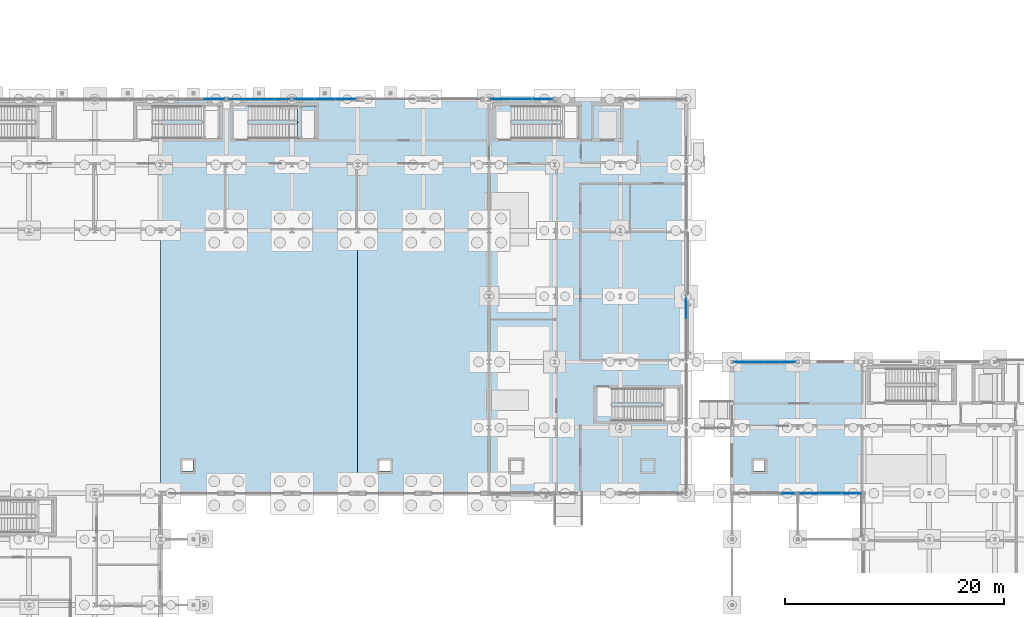
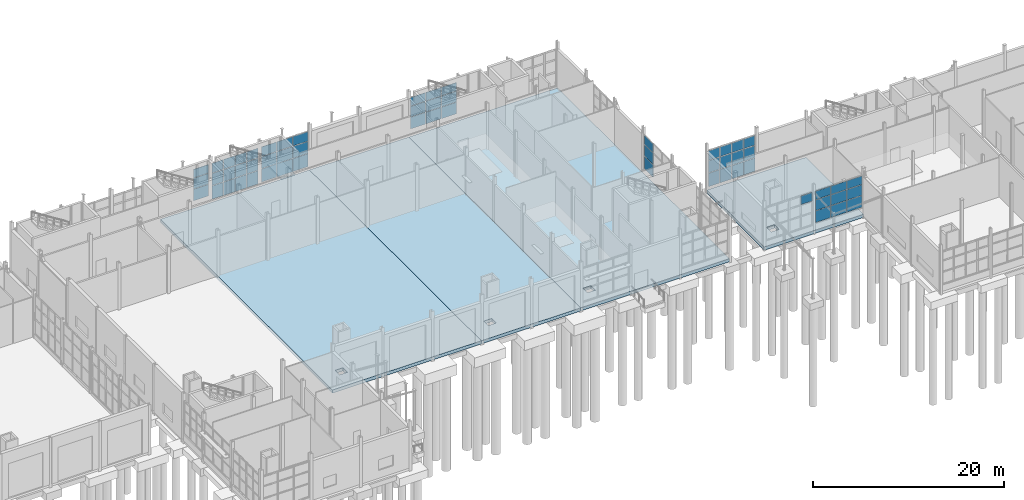
# One storey, part 70 of 120: 58 plates, 5 slabs, 9 elements without a shape of their own.
"""IFC4 building model written with IfcOpenShell, lengths in metres."""

from ifc_helpers import new_model, si_unit, direction, frame, origin, origin_2d, place, context, subcontext, project, spatial, polyline, rectangle, outline, extrude, material, layer, layer_set, type_object, element, aggregate, save


model = new_model("IFC4")

# Units and contexts
model_context = context("Model", 3, precision=1e-05, world=origin(), true_north=direction((0.0, 1.0)))
body_context = subcontext(model_context, "Body", "Model", "MODEL_VIEW")
ifc_project = project(units=[si_unit("LENGTHUNIT", "METRE"), si_unit("AREAUNIT", "SQUARE_METRE"), si_unit("VOLUMEUNIT", "CUBIC_METRE"), si_unit("PLANEANGLEUNIT", "RADIAN"), si_unit("MASSUNIT", "GRAM", prefix="KILO")], contexts=[model_context])

# Site, building, storey
site_placement = place(None, origin())
site = spatial("IfcSite", under=ifc_project, at=site_placement, CompositionType="ELEMENT")
building_placement = place(site_placement, origin())
building = spatial("IfcBuilding", under=site, at=building_placement, Name="Siltcreek Boulevard Central Fire Station", CompositionType="ELEMENT")
storey_placement = place(building_placement, origin())
storey = spatial("IfcBuildingStorey", under=building, at=storey_placement, Name="L01", CompositionType="ELEMENT", Elevation=0.0)

# Curtain wall, plates
ifc_material_1 = material(Name="Anodized aluminum and low-E insulated glazing", Category="aluminium")
curtain_wall_type_1 = type_object("IfcCurtainWallType", Name="CW_SYS_07", PredefinedType="USERDEFINED", material=ifc_material_1)
curtain_wall_1_placement = place(storey_placement, origin())
curtain_wall_1 = element("IfcCurtainWall", 1, at=curtain_wall_1_placement, inside=storey, type_object=curtain_wall_type_1, Name="L01 V1 unitised curtain wall CW-006", ObjectType="CURTAIN WALL", PredefinedType="USERDEFINED")
ifc_material_2 = material(Name="Low-E double insulated glass unit", Category="glass")
ifc_layer_1 = layer(ifc_material_2, 0.028076171875, Name="Low-E double insulated glass unit")
ifc_layer_set_1 = layer_set([ifc_layer_1], Name="Low-E double insulated glass unit")
plate_type_1 = type_object("IfcPlateType", Name="CWP_GLZ_1", PredefinedType="CURTAIN_PANEL", material=ifc_layer_set_1)
plate_1_placement = place(storey_placement, frame((71.125, 54.0, 0.38525390625), z_axis=(0.0, 0.0, 1.0), x_axis=(-1.0, 0.0, 0.0)))
plate_1 = element("IfcPlate", 2, at=plate_1_placement, type_object=plate_type_1, Name="CW-006 panel 1.1", PredefinedType="CURTAIN_PANEL", context=body_context, shape_type="SweptSolid", body=[
    extrude(rectangle(XDim=1.330078125, YDim=0.028076171875, at=origin_2d()), origin(), (0.0, 0.0, 1.0), 1.694091796875),
])
plate_2_placement = place(storey_placement, frame((71.125, 54.0, 2.144287109375), z_axis=(0.0, 0.0, 1.0), x_axis=(-1.0, 0.0, 0.0)))
plate_2 = element("IfcPlate", 3, at=plate_2_placement, type_object=plate_type_1, Name="CW-006 panel 1.2", PredefinedType="CURTAIN_PANEL", context=body_context, shape_type="SweptSolid", body=[
    extrude(rectangle(XDim=1.330078125, YDim=0.028076171875, at=origin_2d()), origin(), (0.0, 0.0, 1.0), 1.5380859375),
])
plate_3_placement = place(storey_placement, frame((71.125, 54.0, 3.747314453125), z_axis=(0.0, 0.0, 1.0), x_axis=(-1.0, 0.0, 0.0)))
plate_3 = element("IfcPlate", 4, at=plate_3_placement, type_object=plate_type_1, Name="CW-006 panel 1.3", PredefinedType="CURTAIN_PANEL", context=body_context, shape_type="SweptSolid", body=[
    extrude(rectangle(XDim=1.330078125, YDim=0.028076171875, at=origin_2d()), origin(), (0.0, 0.0, 1.0), 1.22265625),
])
plate_4_placement = place(storey_placement, frame((69.7138671875, 54.0, 0.38525390625), z_axis=(0.0, 0.0, 1.0), x_axis=(-1.0, 0.0, 0.0)))
plate_4 = element("IfcPlate", 5, at=plate_4_placement, type_object=plate_type_1, Name="CW-006 panel 2.1", PredefinedType="CURTAIN_PANEL", context=body_context, shape_type="SweptSolid", body=[
    extrude(rectangle(XDim=1.362548828125, YDim=0.028076171875, at=origin_2d()), origin(), (0.0, 0.0, 1.0), 1.694091796875),
])
plate_5_placement = place(storey_placement, frame((69.7138671875, 54.0, 2.144287109375), z_axis=(0.0, 0.0, 1.0), x_axis=(-1.0, 0.0, 0.0)))
plate_5 = element("IfcPlate", 6, at=plate_5_placement, type_object=plate_type_1, Name="CW-006 panel 2.2", PredefinedType="CURTAIN_PANEL", context=body_context, shape_type="SweptSolid", body=[
    extrude(rectangle(XDim=1.362548828125, YDim=0.028076171875, at=origin_2d()), origin(), (0.0, 0.0, 1.0), 1.5380859375),
])
plate_6_placement = place(storey_placement, frame((69.7138671875, 54.0, 3.747314453125), z_axis=(0.0, 0.0, 1.0), x_axis=(-1.0, 0.0, 0.0)))
plate_6 = element("IfcPlate", 7, at=plate_6_placement, type_object=plate_type_1, Name="CW-006 panel 2.3", PredefinedType="CURTAIN_PANEL", context=body_context, shape_type="SweptSolid", body=[
    extrude(rectangle(XDim=1.362548828125, YDim=0.028076171875, at=origin_2d()), origin(), (0.0, 0.0, 1.0), 1.22265625),
])
plate_7_placement = place(storey_placement, frame((68.2861328125, 54.0, 0.38525390625), z_axis=(0.0, 0.0, 1.0), x_axis=(-1.0, 0.0, 0.0)))
plate_7 = element("IfcPlate", 8, at=plate_7_placement, type_object=plate_type_1, Name="CW-006 panel 3.1", PredefinedType="CURTAIN_PANEL", context=body_context, shape_type="SweptSolid", body=[
    extrude(rectangle(XDim=1.362548828125, YDim=0.028076171875, at=origin_2d()), origin(), (0.0, 0.0, 1.0), 1.694091796875),
])
plate_8_placement = place(storey_placement, frame((68.2861328125, 54.0, 2.144287109375), z_axis=(0.0, 0.0, 1.0), x_axis=(-1.0, 0.0, 0.0)))
plate_8 = element("IfcPlate", 9, at=plate_8_placement, type_object=plate_type_1, Name="CW-006 panel 3.2", PredefinedType="CURTAIN_PANEL", context=body_context, shape_type="SweptSolid", body=[
    extrude(rectangle(XDim=1.362548828125, YDim=0.028076171875, at=origin_2d()), origin(), (0.0, 0.0, 1.0), 1.5380859375),
])
plate_9_placement = place(storey_placement, frame((68.2861328125, 54.0, 3.747314453125), z_axis=(0.0, 0.0, 1.0), x_axis=(-1.0, 0.0, 0.0)))
plate_9 = element("IfcPlate", 10, at=plate_9_placement, type_object=plate_type_1, Name="CW-006 panel 3.3", PredefinedType="CURTAIN_PANEL", context=body_context, shape_type="SweptSolid", body=[
    extrude(rectangle(XDim=1.362548828125, YDim=0.028076171875, at=origin_2d()), origin(), (0.0, 0.0, 1.0), 1.22265625),
])
plate_10_placement = place(storey_placement, frame((66.875, 54.0, 0.38525390625), z_axis=(0.0, 0.0, 1.0), x_axis=(-1.0, 0.0, 0.0)))
plate_10 = element("IfcPlate", 11, at=plate_10_placement, type_object=plate_type_1, Name="CW-006 panel 4.1", PredefinedType="CURTAIN_PANEL", context=body_context, shape_type="SweptSolid", body=[
    extrude(rectangle(XDim=1.330078125, YDim=0.028076171875, at=origin_2d()), origin(), (0.0, 0.0, 1.0), 1.694091796875),
])
plate_11_placement = place(storey_placement, frame((66.875, 54.0, 2.144287109375), z_axis=(0.0, 0.0, 1.0), x_axis=(-1.0, 0.0, 0.0)))
plate_11 = element("IfcPlate", 12, at=plate_11_placement, type_object=plate_type_1, Name="CW-006 panel 4.2", PredefinedType="CURTAIN_PANEL", context=body_context, shape_type="SweptSolid", body=[
    extrude(rectangle(XDim=1.330078125, YDim=0.028076171875, at=origin_2d()), origin(), (0.0, 0.0, 1.0), 1.5380859375),
])
plate_12_placement = place(storey_placement, frame((66.875, 54.0, 3.747314453125), z_axis=(0.0, 0.0, 1.0), x_axis=(-1.0, 0.0, 0.0)))
plate_12 = element("IfcPlate", 13, at=plate_12_placement, type_object=plate_type_1, Name="CW-006 panel 4.3", PredefinedType="CURTAIN_PANEL", context=body_context, shape_type="SweptSolid", body=[
    extrude(rectangle(XDim=1.330078125, YDim=0.028076171875, at=origin_2d()), origin(), (0.0, 0.0, 1.0), 1.22265625),
])
aggregate(curtain_wall_1, [plate_1, plate_2, plate_3, plate_4, plate_5, plate_6, plate_7, plate_8, plate_9, plate_10, plate_11, plate_12])

curtain_wall_type_2 = type_object("IfcCurtainWallType", Name="CW_SYS_22", PredefinedType="USERDEFINED", material=ifc_material_1)
curtain_wall_2_placement = place(storey_placement, origin())
curtain_wall_2 = element("IfcCurtainWall", 14, at=curtain_wall_2_placement, inside=storey, type_object=curtain_wall_type_2, Name="L01 V2 unitised curtain wall CW-021", ObjectType="CURTAIN WALL", PredefinedType="USERDEFINED")
plate_13_placement = place(storey_placement, frame((108.0, 34.888427734375, 0.739990234375), z_axis=(0.0, 0.0, 1.0), x_axis=(0.0, 1.0, 0.0)))
plate_13 = element("IfcPlate", 15, at=plate_13_placement, type_object=plate_type_1, Name="CW-021 panel 3.1", PredefinedType="CURTAIN_PANEL", context=body_context, shape_type="SweptSolid", body=[
    extrude(rectangle(XDim=1.813232421875, YDim=0.028076171875, at=origin_2d()), origin(), (0.0, 0.0, 1.0), 1.568359375),
])
plate_14_placement = place(storey_placement, frame((108.0, 34.888427734375, 2.3681640625), z_axis=(0.0, 0.0, 1.0), x_axis=(0.0, 1.0, 0.0)))
plate_14 = element("IfcPlate", 16, at=plate_14_placement, type_object=plate_type_1, Name="CW-021 panel 3.2", PredefinedType="CURTAIN_PANEL", context=body_context, shape_type="SweptSolid", body=[
    extrude(rectangle(XDim=1.813232421875, YDim=0.028076171875, at=origin_2d()), origin(), (0.0, 0.0, 1.0), 1.423828125),
])
plate_15_placement = place(storey_placement, frame((108.0, 34.888427734375, 3.85205078125), z_axis=(0.0, 0.0, 1.0), x_axis=(0.0, 1.0, 0.0)))
plate_15 = element("IfcPlate", 17, at=plate_15_placement, type_object=plate_type_1, Name="CW-021 panel 3.3", PredefinedType="CURTAIN_PANEL", context=body_context, shape_type="SweptSolid", body=[
    extrude(rectangle(XDim=1.813232421875, YDim=0.028076171875, at=origin_2d()), origin(), (0.0, 0.0, 1.0), 1.1318359375),
])
aggregate(curtain_wall_2, [plate_13, plate_14, plate_15])

curtain_wall_type_3 = type_object("IfcCurtainWallType", Name="CW_SYS_13", PredefinedType="USERDEFINED", material=ifc_material_1)
curtain_wall_3_placement = place(storey_placement, origin())
curtain_wall_3 = element("IfcCurtainWall", 18, at=curtain_wall_3_placement, inside=storey, type_object=curtain_wall_type_3, Name="L01 V6 unitised curtain wall CW-192", ObjectType="CURTAIN WALL", PredefinedType="USERDEFINED")
plate_16_placement = place(storey_placement, frame((117.324951171875, 30.0, 0.38525390625), z_axis=(0.0, 0.0, 1.0), x_axis=(-1.0, 0.0, 0.0)))
plate_16 = element("IfcPlate", 19, at=plate_16_placement, type_object=plate_type_1, Name="CW-192 panel 1.1", PredefinedType="CURTAIN_PANEL", context=body_context, shape_type="SweptSolid", body=[
    extrude(rectangle(XDim=1.330078125, YDim=0.028076171875, at=origin_2d()), origin(), (0.0, 0.0, 1.0), 1.694091796875),
])
plate_17_placement = place(storey_placement, frame((117.324951171875, 30.0, 2.144287109375), z_axis=(0.0, 0.0, 1.0), x_axis=(-1.0, 0.0, 0.0)))
plate_17 = element("IfcPlate", 20, at=plate_17_placement, type_object=plate_type_1, Name="CW-192 panel 1.2", PredefinedType="CURTAIN_PANEL", context=body_context, shape_type="SweptSolid", body=[
    extrude(rectangle(XDim=1.330078125, YDim=0.028076171875, at=origin_2d()), origin(), (0.0, 0.0, 1.0), 1.5380859375),
])
plate_18_placement = place(storey_placement, frame((117.324951171875, 30.0, 3.747314453125), z_axis=(0.0, 0.0, 1.0), x_axis=(-1.0, 0.0, 0.0)))
plate_18 = element("IfcPlate", 21, at=plate_18_placement, type_object=plate_type_1, Name="CW-192 panel 1.3", PredefinedType="CURTAIN_PANEL", context=body_context, shape_type="SweptSolid", body=[
    extrude(rectangle(XDim=1.330078125, YDim=0.028076171875, at=origin_2d()), origin(), (0.0, 0.0, 1.0), 1.22265625),
])
plate_19_placement = place(storey_placement, frame((115.913818359375, 30.0, 0.38525390625), z_axis=(0.0, 0.0, 1.0), x_axis=(-1.0, 0.0, 0.0)))
plate_19 = element("IfcPlate", 22, at=plate_19_placement, type_object=plate_type_1, Name="CW-192 panel 2.1", PredefinedType="CURTAIN_PANEL", context=body_context, shape_type="SweptSolid", body=[
    extrude(rectangle(XDim=1.362548828125, YDim=0.028076171875, at=origin_2d()), origin(), (0.0, 0.0, 1.0), 1.694091796875),
])
plate_20_placement = place(storey_placement, frame((115.913818359375, 30.0, 2.144287109375), z_axis=(0.0, 0.0, 1.0), x_axis=(-1.0, 0.0, 0.0)))
plate_20 = element("IfcPlate", 23, at=plate_20_placement, type_object=plate_type_1, Name="CW-192 panel 2.2", PredefinedType="CURTAIN_PANEL", context=body_context, shape_type="SweptSolid", body=[
    extrude(rectangle(XDim=1.362548828125, YDim=0.028076171875, at=origin_2d()), origin(), (0.0, 0.0, 1.0), 1.5380859375),
])
plate_21_placement = place(storey_placement, frame((115.913818359375, 30.0, 3.747314453125), z_axis=(0.0, 0.0, 1.0), x_axis=(-1.0, 0.0, 0.0)))
plate_21 = element("IfcPlate", 24, at=plate_21_placement, type_object=plate_type_1, Name="CW-192 panel 2.3", PredefinedType="CURTAIN_PANEL", context=body_context, shape_type="SweptSolid", body=[
    extrude(rectangle(XDim=1.362548828125, YDim=0.028076171875, at=origin_2d()), origin(), (0.0, 0.0, 1.0), 1.22265625),
])
plate_22_placement = place(storey_placement, frame((114.486328125, 30.0, 0.38525390625), z_axis=(0.0, 0.0, 1.0), x_axis=(-1.0, 0.0, 0.0)))
plate_22 = element("IfcPlate", 25, at=plate_22_placement, type_object=plate_type_1, Name="CW-192 panel 3.1", PredefinedType="CURTAIN_PANEL", context=body_context, shape_type="SweptSolid", body=[
    extrude(rectangle(XDim=1.362548828125, YDim=0.028076171875, at=origin_2d()), origin(), (0.0, 0.0, 1.0), 1.694091796875),
])
plate_23_placement = place(storey_placement, frame((114.486328125, 30.0, 2.144287109375), z_axis=(0.0, 0.0, 1.0), x_axis=(-1.0, 0.0, 0.0)))
plate_23 = element("IfcPlate", 26, at=plate_23_placement, type_object=plate_type_1, Name="CW-192 panel 3.2", PredefinedType="CURTAIN_PANEL", context=body_context, shape_type="SweptSolid", body=[
    extrude(rectangle(XDim=1.362548828125, YDim=0.028076171875, at=origin_2d()), origin(), (0.0, 0.0, 1.0), 1.5380859375),
])
plate_24_placement = place(storey_placement, frame((114.486328125, 30.0, 3.747314453125), z_axis=(0.0, 0.0, 1.0), x_axis=(-1.0, 0.0, 0.0)))
plate_24 = element("IfcPlate", 27, at=plate_24_placement, type_object=plate_type_1, Name="CW-192 panel 3.3", PredefinedType="CURTAIN_PANEL", context=body_context, shape_type="SweptSolid", body=[
    extrude(rectangle(XDim=1.362548828125, YDim=0.028076171875, at=origin_2d()), origin(), (0.0, 0.0, 1.0), 1.22265625),
])
plate_25_placement = place(storey_placement, frame((113.074951171875, 30.0, 0.38525390625), z_axis=(0.0, 0.0, 1.0), x_axis=(-1.0, 0.0, 0.0)))
plate_25 = element("IfcPlate", 28, at=plate_25_placement, type_object=plate_type_1, Name="CW-192 panel 4.1", PredefinedType="CURTAIN_PANEL", context=body_context, shape_type="SweptSolid", body=[
    extrude(rectangle(XDim=1.330078125, YDim=0.028076171875, at=origin_2d()), origin(), (0.0, 0.0, 1.0), 1.694091796875),
])
plate_26_placement = place(storey_placement, frame((113.074951171875, 30.0, 2.144287109375), z_axis=(0.0, 0.0, 1.0), x_axis=(-1.0, 0.0, 0.0)))
plate_26 = element("IfcPlate", 29, at=plate_26_placement, type_object=plate_type_1, Name="CW-192 panel 4.2", PredefinedType="CURTAIN_PANEL", context=body_context, shape_type="SweptSolid", body=[
    extrude(rectangle(XDim=1.330078125, YDim=0.028076171875, at=origin_2d()), origin(), (0.0, 0.0, 1.0), 1.5380859375),
])
plate_27_placement = place(storey_placement, frame((113.074951171875, 30.0, 3.747314453125), z_axis=(0.0, 0.0, 1.0), x_axis=(-1.0, 0.0, 0.0)))
plate_27 = element("IfcPlate", 30, at=plate_27_placement, type_object=plate_type_1, Name="CW-192 panel 4.3", PredefinedType="CURTAIN_PANEL", context=body_context, shape_type="SweptSolid", body=[
    extrude(rectangle(XDim=1.330078125, YDim=0.028076171875, at=origin_2d()), origin(), (0.0, 0.0, 1.0), 1.22265625),
])
aggregate(curtain_wall_3, [plate_16, plate_17, plate_18, plate_19, plate_20, plate_21, plate_22, plate_23, plate_24, plate_25, plate_26, plate_27])

curtain_wall_type_4 = type_object("IfcCurtainWallType", Name="CW_SYS_08", PredefinedType="USERDEFINED", material=ifc_material_1)
curtain_wall_4_placement = place(storey_placement, origin())
curtain_wall_4 = element("IfcCurtainWall", 31, at=curtain_wall_4_placement, inside=storey, type_object=curtain_wall_type_4, Name="L01 V1 unitised curtain wall CW-007", ObjectType="CURTAIN WALL", PredefinedType="USERDEFINED")
ifc_layer_2 = layer(ifc_material_2, 0.0380859375, Name="Low-E double insulated glass unit")
ifc_layer_set_2 = layer_set([ifc_layer_2], Name="Low-E double insulated glass unit")
plate_type_2 = type_object("IfcPlateType", Name="CWP_GLZ_2", PredefinedType="CURTAIN_PANEL", material=ifc_layer_set_2)
plate_28_placement = place(storey_placement, frame((76.888427734375, 54.0, 0.5), z_axis=(0.0, 0.0, 1.0), x_axis=(-1.0, 0.0, 0.0)))
plate_28 = element("IfcPlate", 32, at=plate_28_placement, type_object=plate_type_2, Name="CW-007 panel 1.1", PredefinedType="CURTAIN_PANEL", context=body_context, shape_type="SweptSolid", body=[
    extrude(rectangle(XDim=1.813232421875, YDim=0.0380859375, at=origin_2d()), origin(), (0.0, 0.0, 1.0), 1.656005859375),
])
plate_29_placement = place(storey_placement, frame((76.888427734375, 54.0, 2.21630859375), z_axis=(0.0, 0.0, 1.0), x_axis=(-1.0, 0.0, 0.0)))
plate_29 = element("IfcPlate", 33, at=plate_29_placement, type_object=plate_type_2, Name="CW-007 panel 1.2", PredefinedType="CURTAIN_PANEL", context=body_context, shape_type="SweptSolid", body=[
    extrude(rectangle(XDim=1.813232421875, YDim=0.0380859375, at=origin_2d()), origin(), (0.0, 0.0, 1.0), 1.502197265625),
])
plate_30_placement = place(storey_placement, frame((76.888427734375, 54.0, 3.7783203125), z_axis=(0.0, 0.0, 1.0), x_axis=(-1.0, 0.0, 0.0)))
plate_30 = element("IfcPlate", 34, at=plate_30_placement, type_object=plate_type_2, Name="CW-007 panel 1.3", PredefinedType="CURTAIN_PANEL", context=body_context, shape_type="SweptSolid", body=[
    extrude(rectangle(XDim=1.813232421875, YDim=0.0380859375, at=origin_2d()), origin(), (0.0, 0.0, 1.0), 1.196533203125),
])
plate_31_placement = place(storey_placement, frame((75.0, 54.0, 0.5), z_axis=(0.0, 0.0, 1.0), x_axis=(-1.0, 0.0, 0.0)))
plate_31 = element("IfcPlate", 35, at=plate_31_placement, type_object=plate_type_2, Name="CW-007 panel 2.1", PredefinedType="CURTAIN_PANEL", context=body_context, shape_type="SweptSolid", body=[
    extrude(rectangle(XDim=1.84326171875, YDim=0.0380859375, at=origin_2d()), origin(), (0.0, 0.0, 1.0), 1.656005859375),
])
plate_32_placement = place(storey_placement, frame((75.0, 54.0, 2.21630859375), z_axis=(0.0, 0.0, 1.0), x_axis=(-1.0, 0.0, 0.0)))
plate_32 = element("IfcPlate", 36, at=plate_32_placement, type_object=plate_type_2, Name="CW-007 panel 2.2", PredefinedType="CURTAIN_PANEL", context=body_context, shape_type="SweptSolid", body=[
    extrude(rectangle(XDim=1.84326171875, YDim=0.0380859375, at=origin_2d()), origin(), (0.0, 0.0, 1.0), 1.502197265625),
])
plate_33_placement = place(storey_placement, frame((75.0, 54.0, 3.7783203125), z_axis=(0.0, 0.0, 1.0), x_axis=(-1.0, 0.0, 0.0)))
plate_33 = element("IfcPlate", 37, at=plate_33_placement, type_object=plate_type_2, Name="CW-007 panel 2.3", PredefinedType="CURTAIN_PANEL", context=body_context, shape_type="SweptSolid", body=[
    extrude(rectangle(XDim=1.84326171875, YDim=0.0380859375, at=origin_2d()), origin(), (0.0, 0.0, 1.0), 1.196533203125),
])
plate_34_placement = place(storey_placement, frame((73.111572265625, 54.0, 0.5), z_axis=(0.0, 0.0, 1.0), x_axis=(-1.0, 0.0, 0.0)))
plate_34 = element("IfcPlate", 38, at=plate_34_placement, type_object=plate_type_2, Name="CW-007 panel 3.1", PredefinedType="CURTAIN_PANEL", context=body_context, shape_type="SweptSolid", body=[
    extrude(rectangle(XDim=1.813232421875, YDim=0.0380859375, at=origin_2d()), origin(), (0.0, 0.0, 1.0), 1.656005859375),
])
plate_35_placement = place(storey_placement, frame((73.111572265625, 54.0, 2.21630859375), z_axis=(0.0, 0.0, 1.0), x_axis=(-1.0, 0.0, 0.0)))
plate_35 = element("IfcPlate", 39, at=plate_35_placement, type_object=plate_type_2, Name="CW-007 panel 3.2", PredefinedType="CURTAIN_PANEL", context=body_context, shape_type="SweptSolid", body=[
    extrude(rectangle(XDim=1.813232421875, YDim=0.0380859375, at=origin_2d()), origin(), (0.0, 0.0, 1.0), 1.502197265625),
])
plate_36_placement = place(storey_placement, frame((73.111572265625, 54.0, 3.7783203125), z_axis=(0.0, 0.0, 1.0), x_axis=(-1.0, 0.0, 0.0)))
plate_36 = element("IfcPlate", 40, at=plate_36_placement, type_object=plate_type_2, Name="CW-007 panel 3.3", PredefinedType="CURTAIN_PANEL", context=body_context, shape_type="SweptSolid", body=[
    extrude(rectangle(XDim=1.813232421875, YDim=0.0380859375, at=origin_2d()), origin(), (0.0, 0.0, 1.0), 1.196533203125),
])
aggregate(curtain_wall_4, [plate_28, plate_29, plate_30, plate_31, plate_32, plate_33, plate_34, plate_35, plate_36])

# Curtain wall, plate
curtain_wall_type_5 = type_object("IfcCurtainWallType", Name="CW_SYS_11", PredefinedType="USERDEFINED", material=ifc_material_1)
curtain_wall_5_placement = place(storey_placement, origin())
curtain_wall_5 = element("IfcCurtainWall", 41, at=curtain_wall_5_placement, inside=storey, type_object=curtain_wall_type_5, Name="L01 V6 unitised curtain wall CW-190", ObjectType="CURTAIN WALL", PredefinedType="USERDEFINED")
plate_37_placement = place(storey_placement, frame((117.324951171875, 18.0, 3.881591796875), z_axis=(0.0, 0.0, 1.0), x_axis=(1.0, 0.0, 0.0)))
plate_37 = element("IfcPlate", 42, at=plate_37_placement, type_object=plate_type_2, Name="CW-190 panel 4.3", PredefinedType="CURTAIN_PANEL", context=body_context, shape_type="SweptSolid", body=[
    extrude(rectangle(XDim=1.330078125, YDim=0.0380859375, at=origin_2d()), origin(), (0.0, 0.0, 1.0), 1.08837890625),
])
aggregate(curtain_wall_5, [plate_37])

# Curtain wall, plates
curtain_wall_type_6 = type_object("IfcCurtainWallType", Name="CW_SYS_06", PredefinedType="USERDEFINED", material=ifc_material_1)
curtain_wall_6_placement = place(storey_placement, origin())
curtain_wall_6 = element("IfcCurtainWall", 43, at=curtain_wall_6_placement, inside=storey, type_object=curtain_wall_type_6, Name="L01 V1 unitised curtain wall CW-005", ObjectType="CURTAIN WALL", PredefinedType="USERDEFINED")
ifc_layer_3 = layer(ifc_material_2, 0.048095703125, Name="Low-E double insulated glass unit")
ifc_layer_set_3 = layer_set([ifc_layer_3], Name="Low-E double insulated glass unit")
plate_type_3 = type_object("IfcPlateType", Name="CWP_GLZ_3", PredefinedType="CURTAIN_PANEL", material=ifc_layer_set_3)
plate_38_placement = place(storey_placement, frame((64.888427734375, 54.0, 0.97998046875), z_axis=(0.0, 0.0, 1.0), x_axis=(-1.0, 0.0, 0.0)))
plate_38 = element("IfcPlate", 44, at=plate_38_placement, type_object=plate_type_3, Name="CW-005 panel 1.1", PredefinedType="CURTAIN_PANEL", context=body_context, shape_type="SweptSolid", body=[
    extrude(rectangle(XDim=1.813232421875, YDim=0.048095703125, at=origin_2d()), origin(), (0.0, 0.0, 1.0), 1.4736328125),
])
plate_39_placement = place(storey_placement, frame((64.888427734375, 54.0, 2.513671875), z_axis=(0.0, 0.0, 1.0), x_axis=(-1.0, 0.0, 0.0)))
plate_39 = element("IfcPlate", 45, at=plate_39_placement, type_object=plate_type_3, Name="CW-005 panel 1.2", PredefinedType="CURTAIN_PANEL", context=body_context, shape_type="SweptSolid", body=[
    extrude(rectangle(XDim=1.813232421875, YDim=0.048095703125, at=origin_2d()), origin(), (0.0, 0.0, 1.0), 1.339111328125),
])
plate_40_placement = place(storey_placement, frame((64.888427734375, 54.0, 3.91259765625), z_axis=(0.0, 0.0, 1.0), x_axis=(-1.0, 0.0, 0.0)))
plate_40 = element("IfcPlate", 46, at=plate_40_placement, type_object=plate_type_3, Name="CW-005 panel 1.3", PredefinedType="CURTAIN_PANEL", context=body_context, shape_type="SweptSolid", body=[
    extrude(rectangle(XDim=1.813232421875, YDim=0.048095703125, at=origin_2d()), origin(), (0.0, 0.0, 1.0), 1.062255859375),
])
aggregate(curtain_wall_6, [plate_38, plate_39, plate_40])

curtain_wall_type_7 = type_object("IfcCurtainWallType", Name="CW_SYS_18", PredefinedType="USERDEFINED", material=ifc_material_1)
curtain_wall_7_placement = place(storey_placement, origin())
curtain_wall_7 = element("IfcCurtainWall", 47, at=curtain_wall_7_placement, inside=storey, type_object=curtain_wall_type_7, Name="L01 V2 unitised curtain wall CW-017", ObjectType="CURTAIN WALL", PredefinedType="USERDEFINED")
plate_41_placement = place(storey_placement, frame((94.888427734375, 54.0, 0.97998046875), z_axis=(0.0, 0.0, 1.0), x_axis=(-1.0, 0.0, 0.0)))
plate_41 = element("IfcPlate", 48, at=plate_41_placement, type_object=plate_type_3, Name="CW-017 panel 1.1", PredefinedType="CURTAIN_PANEL", context=body_context, shape_type="SweptSolid", body=[
    extrude(rectangle(XDim=1.813232421875, YDim=0.048095703125, at=origin_2d()), origin(), (0.0, 0.0, 1.0), 1.4736328125),
])
plate_42_placement = place(storey_placement, frame((94.888427734375, 54.0, 2.513671875), z_axis=(0.0, 0.0, 1.0), x_axis=(-1.0, 0.0, 0.0)))
plate_42 = element("IfcPlate", 49, at=plate_42_placement, type_object=plate_type_3, Name="CW-017 panel 1.2", PredefinedType="CURTAIN_PANEL", context=body_context, shape_type="SweptSolid", body=[
    extrude(rectangle(XDim=1.813232421875, YDim=0.048095703125, at=origin_2d()), origin(), (0.0, 0.0, 1.0), 1.339111328125),
])
plate_43_placement = place(storey_placement, frame((94.888427734375, 54.0, 3.91259765625), z_axis=(0.0, 0.0, 1.0), x_axis=(-1.0, 0.0, 0.0)))
plate_43 = element("IfcPlate", 50, at=plate_43_placement, type_object=plate_type_3, Name="CW-017 panel 1.3", PredefinedType="CURTAIN_PANEL", context=body_context, shape_type="SweptSolid", body=[
    extrude(rectangle(XDim=1.813232421875, YDim=0.048095703125, at=origin_2d()), origin(), (0.0, 0.0, 1.0), 1.062255859375),
])
plate_44_placement = place(storey_placement, frame((93.0, 54.0, 0.97998046875), z_axis=(0.0, 0.0, 1.0), x_axis=(-1.0, 0.0, 0.0)))
plate_44 = element("IfcPlate", 51, at=plate_44_placement, type_object=plate_type_3, Name="CW-017 panel 2.1", PredefinedType="CURTAIN_PANEL", context=body_context, shape_type="SweptSolid", body=[
    extrude(rectangle(XDim=1.84326171875, YDim=0.048095703125, at=origin_2d()), origin(), (0.0, 0.0, 1.0), 1.4736328125),
])
plate_45_placement = place(storey_placement, frame((93.0, 54.0, 2.513671875), z_axis=(0.0, 0.0, 1.0), x_axis=(-1.0, 0.0, 0.0)))
plate_45 = element("IfcPlate", 52, at=plate_45_placement, type_object=plate_type_3, Name="CW-017 panel 2.2", PredefinedType="CURTAIN_PANEL", context=body_context, shape_type="SweptSolid", body=[
    extrude(rectangle(XDim=1.84326171875, YDim=0.048095703125, at=origin_2d()), origin(), (0.0, 0.0, 1.0), 1.339111328125),
])
plate_46_placement = place(storey_placement, frame((93.0, 54.0, 3.91259765625), z_axis=(0.0, 0.0, 1.0), x_axis=(-1.0, 0.0, 0.0)))
plate_46 = element("IfcPlate", 53, at=plate_46_placement, type_object=plate_type_3, Name="CW-017 panel 2.3", PredefinedType="CURTAIN_PANEL", context=body_context, shape_type="SweptSolid", body=[
    extrude(rectangle(XDim=1.84326171875, YDim=0.048095703125, at=origin_2d()), origin(), (0.0, 0.0, 1.0), 1.062255859375),
])
plate_47_placement = place(storey_placement, frame((91.111572265625, 54.0, 0.97998046875), z_axis=(0.0, 0.0, 1.0), x_axis=(-1.0, 0.0, 0.0)))
plate_47 = element("IfcPlate", 54, at=plate_47_placement, type_object=plate_type_3, Name="CW-017 panel 3.1", PredefinedType="CURTAIN_PANEL", context=body_context, shape_type="SweptSolid", body=[
    extrude(rectangle(XDim=1.813232421875, YDim=0.048095703125, at=origin_2d()), origin(), (0.0, 0.0, 1.0), 1.4736328125),
])
plate_48_placement = place(storey_placement, frame((91.111572265625, 54.0, 2.513671875), z_axis=(0.0, 0.0, 1.0), x_axis=(-1.0, 0.0, 0.0)))
plate_48 = element("IfcPlate", 55, at=plate_48_placement, type_object=plate_type_3, Name="CW-017 panel 3.2", PredefinedType="CURTAIN_PANEL", context=body_context, shape_type="SweptSolid", body=[
    extrude(rectangle(XDim=1.813232421875, YDim=0.048095703125, at=origin_2d()), origin(), (0.0, 0.0, 1.0), 1.339111328125),
])
plate_49_placement = place(storey_placement, frame((91.111572265625, 54.0, 3.91259765625), z_axis=(0.0, 0.0, 1.0), x_axis=(-1.0, 0.0, 0.0)))
plate_49 = element("IfcPlate", 56, at=plate_49_placement, type_object=plate_type_3, Name="CW-017 panel 3.3", PredefinedType="CURTAIN_PANEL", context=body_context, shape_type="SweptSolid", body=[
    extrude(rectangle(XDim=1.813232421875, YDim=0.048095703125, at=origin_2d()), origin(), (0.0, 0.0, 1.0), 1.062255859375),
])
aggregate(curtain_wall_7, [plate_41, plate_42, plate_43, plate_44, plate_45, plate_46, plate_47, plate_48, plate_49])

curtain_wall_type_8 = type_object("IfcCurtainWallType", Name="CW_SYS_12", PredefinedType="USERDEFINED", material=ifc_material_1)
curtain_wall_8_placement = place(storey_placement, origin())
curtain_wall_8 = element("IfcCurtainWall", 57, at=curtain_wall_8_placement, inside=storey, type_object=curtain_wall_type_8, Name="L01 V6 unitised curtain wall CW-191", ObjectType="CURTAIN WALL", PredefinedType="USERDEFINED")
plate_50_placement = place(storey_placement, frame((119.311767578125, 18.0, 0.97998046875), z_axis=(0.0, 0.0, 1.0), x_axis=(1.0, 0.0, 0.0)))
plate_50 = element("IfcPlate", 58, at=plate_50_placement, type_object=plate_type_3, Name="CW-191 panel 1.1", PredefinedType="CURTAIN_PANEL", context=body_context, shape_type="SweptSolid", body=[
    extrude(rectangle(XDim=1.813232421875, YDim=0.048095703125, at=origin_2d()), origin(), (0.0, 0.0, 1.0), 1.4736328125),
])
plate_51_placement = place(storey_placement, frame((119.311767578125, 18.0, 2.513671875), z_axis=(0.0, 0.0, 1.0), x_axis=(1.0, 0.0, 0.0)))
plate_51 = element("IfcPlate", 59, at=plate_51_placement, type_object=plate_type_3, Name="CW-191 panel 1.2", PredefinedType="CURTAIN_PANEL", context=body_context, shape_type="SweptSolid", body=[
    extrude(rectangle(XDim=1.813232421875, YDim=0.048095703125, at=origin_2d()), origin(), (0.0, 0.0, 1.0), 1.339111328125),
])
plate_52_placement = place(storey_placement, frame((119.311767578125, 18.0, 3.91259765625), z_axis=(0.0, 0.0, 1.0), x_axis=(1.0, 0.0, 0.0)))
plate_52 = element("IfcPlate", 60, at=plate_52_placement, type_object=plate_type_3, Name="CW-191 panel 1.3", PredefinedType="CURTAIN_PANEL", context=body_context, shape_type="SweptSolid", body=[
    extrude(rectangle(XDim=1.813232421875, YDim=0.048095703125, at=origin_2d()), origin(), (0.0, 0.0, 1.0), 1.062255859375),
])
plate_53_placement = place(storey_placement, frame((121.199951171875, 18.0, 0.97998046875), z_axis=(0.0, 0.0, 1.0), x_axis=(1.0, 0.0, 0.0)))
plate_53 = element("IfcPlate", 61, at=plate_53_placement, type_object=plate_type_3, Name="CW-191 panel 2.1", PredefinedType="CURTAIN_PANEL", context=body_context, shape_type="SweptSolid", body=[
    extrude(rectangle(XDim=1.84326171875, YDim=0.048095703125, at=origin_2d()), origin(), (0.0, 0.0, 1.0), 1.4736328125),
])
plate_54_placement = place(storey_placement, frame((121.199951171875, 18.0, 2.513671875), z_axis=(0.0, 0.0, 1.0), x_axis=(1.0, 0.0, 0.0)))
plate_54 = element("IfcPlate", 62, at=plate_54_placement, type_object=plate_type_3, Name="CW-191 panel 2.2", PredefinedType="CURTAIN_PANEL", context=body_context, shape_type="SweptSolid", body=[
    extrude(rectangle(XDim=1.84326171875, YDim=0.048095703125, at=origin_2d()), origin(), (0.0, 0.0, 1.0), 1.339111328125),
])
plate_55_placement = place(storey_placement, frame((121.199951171875, 18.0, 3.91259765625), z_axis=(0.0, 0.0, 1.0), x_axis=(1.0, 0.0, 0.0)))
plate_55 = element("IfcPlate", 63, at=plate_55_placement, type_object=plate_type_3, Name="CW-191 panel 2.3", PredefinedType="CURTAIN_PANEL", context=body_context, shape_type="SweptSolid", body=[
    extrude(rectangle(XDim=1.84326171875, YDim=0.048095703125, at=origin_2d()), origin(), (0.0, 0.0, 1.0), 1.062255859375),
])
plate_56_placement = place(storey_placement, frame((123.08837890625, 18.0, 0.97998046875), z_axis=(0.0, 0.0, 1.0), x_axis=(1.0, 0.0, 0.0)))
plate_56 = element("IfcPlate", 64, at=plate_56_placement, type_object=plate_type_3, Name="CW-191 panel 3.1", PredefinedType="CURTAIN_PANEL", context=body_context, shape_type="SweptSolid", body=[
    extrude(rectangle(XDim=1.813232421875, YDim=0.048095703125, at=origin_2d()), origin(), (0.0, 0.0, 1.0), 1.4736328125),
])
plate_57_placement = place(storey_placement, frame((123.08837890625, 18.0, 2.513671875), z_axis=(0.0, 0.0, 1.0), x_axis=(1.0, 0.0, 0.0)))
plate_57 = element("IfcPlate", 65, at=plate_57_placement, type_object=plate_type_3, Name="CW-191 panel 3.2", PredefinedType="CURTAIN_PANEL", context=body_context, shape_type="SweptSolid", body=[
    extrude(rectangle(XDim=1.813232421875, YDim=0.048095703125, at=origin_2d()), origin(), (0.0, 0.0, 1.0), 1.339111328125),
])
plate_58_placement = place(storey_placement, frame((123.08837890625, 18.0, 3.91259765625), z_axis=(0.0, 0.0, 1.0), x_axis=(1.0, 0.0, 0.0)))
plate_58 = element("IfcPlate", 66, at=plate_58_placement, type_object=plate_type_3, Name="CW-191 panel 3.3", PredefinedType="CURTAIN_PANEL", context=body_context, shape_type="SweptSolid", body=[
    extrude(rectangle(XDim=1.813232421875, YDim=0.048095703125, at=origin_2d()), origin(), (0.0, 0.0, 1.0), 1.062255859375),
])
aggregate(curtain_wall_8, [plate_50, plate_51, plate_52, plate_53, plate_54, plate_55, plate_56, plate_57, plate_58])

# Slabs
ifc_material_3 = material(Name="Concrete C35/45", Category="concrete")
ifc_layer_4 = layer(ifc_material_3, 0.409912109375, Name="Concrete C35/45")
ifc_layer_set_4 = layer_set([ifc_layer_4], Name="Concrete C35/45")
slab_type_1 = type_object("IfcSlabType", Name="SL_BASE350", PredefinedType="BASESLAB", material=ifc_layer_set_4)
slab_1_placement = place(storey_placement, frame((0.0, 0.0, -0.409912109375)))
element("IfcSlab", 67, at=slab_1_placement, inside=storey, type_object=slab_type_1, Name="L01 V1 structural floor slab SL-005", PredefinedType="BASESLAB", context=body_context, shape_type="SweptSolid", body=[
    extrude(outline(polyline([(78.0, 54.0), (78.0, 18.0), (60.0, 18.0), (60.0, 54.0), (78.0, 54.0)]), holes=[polyline([(62.97998046875, 20.97998046875), (62.02001953125, 20.97998046875), (62.02001953125, 20.02001953125), (62.97998046875, 20.02001953125), (62.97998046875, 20.97998046875)])]), origin(), (0.0, 0.0, 1.0), 0.409912109375),
])
slab_2_placement = place(storey_placement, frame((0.0, 0.0, -0.409912109375)))
element("IfcSlab", 68, at=slab_2_placement, inside=storey, type_object=slab_type_1, Name="L01 V1 structural floor slab SL-006", PredefinedType="BASESLAB", context=body_context, shape_type="SweptSolid", body=[
    extrude(outline(polyline([(90.0, 54.0), (90.0, 18.0), (78.0, 18.0), (78.0, 54.0), (90.0, 54.0)]), holes=[polyline([(80.97998046875, 20.97998046875), (80.02001953125, 20.97998046875), (80.02001953125, 20.02001953125), (80.97998046875, 20.02001953125), (80.97998046875, 20.97998046875)])]), origin(), (0.0, 0.0, 1.0), 0.409912109375),
])
slab_3_placement = place(storey_placement, frame((0.0, 0.0, -0.409912109375)))
element("IfcSlab", 69, at=slab_3_placement, inside=storey, type_object=slab_type_1, Name="L01 V2 structural floor slab SL-008", PredefinedType="BASESLAB", context=body_context, shape_type="SweptSolid", body=[
    extrude(outline(polyline([(108.0, 54.0), (108.0, 18.0), (90.0, 18.0), (90.0, 54.0), (108.0, 54.0)]), holes=[polyline([(92.97998046875, 20.97998046875), (92.02001953125, 20.97998046875), (92.02001953125, 20.02001953125), (92.97998046875, 20.02001953125), (92.97998046875, 20.97998046875)])]), origin(), (0.0, 0.0, 1.0), 0.409912109375),
])
slab_4_placement = place(storey_placement, frame((0.0, 0.0, -0.409912109375)))
element("IfcSlab", 70, at=slab_4_placement, inside=storey, type_object=slab_type_1, Name="L01 V6 structural floor slab SL-018", PredefinedType="BASESLAB", context=body_context, shape_type="SweptSolid", body=[
    extrude(outline(polyline([(124.199951171875, 30.0), (124.199951171875, 18.0), (112.199951171875, 18.0), (112.199951171875, 30.0), (124.199951171875, 30.0)]), holes=[polyline([(115.179931640625, 20.97998046875), (114.219970703125, 20.97998046875), (114.219970703125, 20.02001953125), (115.179931640625, 20.02001953125), (115.179931640625, 20.97998046875)])]), origin(), (0.0, 0.0, 1.0), 0.409912109375),
])

# Stair, slab
ifc_material_4 = material(Name="Precast concrete C40/50", Category="concrete")
stair_type = type_object("IfcStairType", Name="ST_DOG_H60", PredefinedType="HALF_TURN_STAIR", material=ifc_material_4)
stair_placement = place(storey_placement, origin())
stair = element("IfcStair", 71, at=stair_placement, inside=storey, type_object=stair_type, Name="L01 Enclosed exit stairway ST-V2C", PredefinedType="HALF_TURN_STAIR")
ifc_layer_5 = layer(ifc_material_4, 0.199951171875, Name="Precast concrete C40/50")
ifc_layer_set_5 = layer_set([ifc_layer_5], Name="Precast concrete C40/50")
slab_type_2 = type_object("IfcSlabType", Name="SL_LAND200", PredefinedType="LANDING", material=ifc_layer_set_5)
slab_5_placement = place(storey_placement, frame((0.0, 0.0, 2.800048828125)))
slab_5 = element("IfcSlab", 72, at=slab_5_placement, type_object=slab_type_2, Name="ST-V2C landing 1", PredefinedType="LANDING", context=body_context, shape_type="SweptSolid", body=[
    extrude(outline(polyline([(72.530029296875, 50.39990234375), (74.199951171875, 50.39990234375), (74.199951171875, 53.39990234375), (72.530029296875, 53.39990234375), (72.530029296875, 50.39990234375)])), origin(), (0.0, 0.0, 1.0), 0.199951171875),
])
aggregate(stair, [slab_5])

save(model, "model.ifc")
